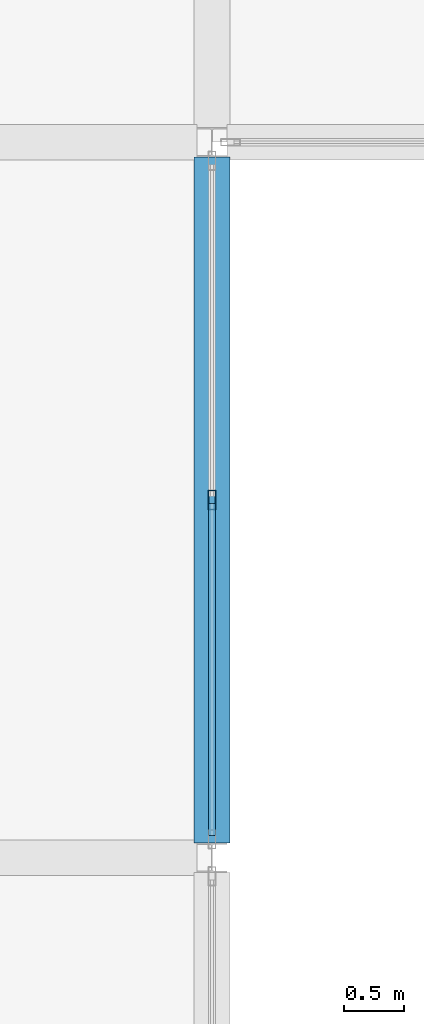
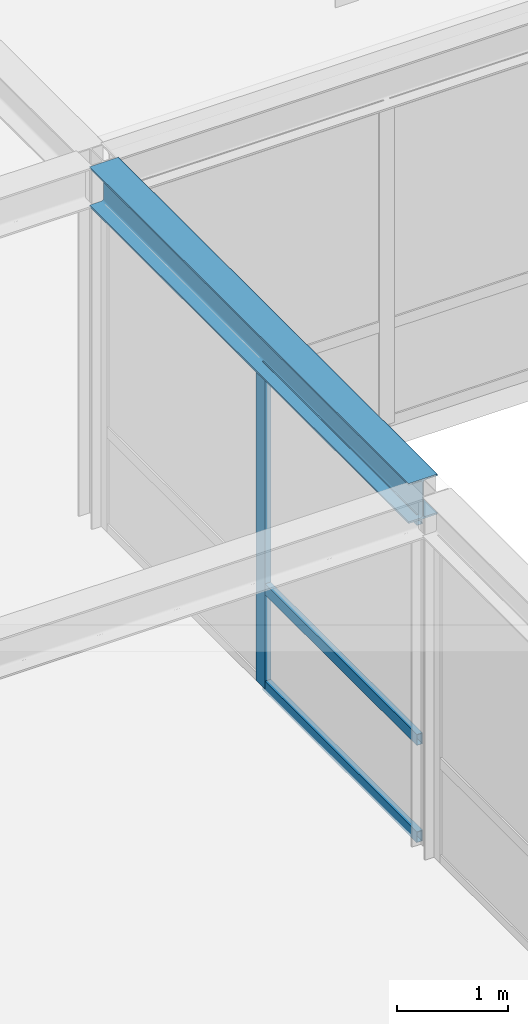
# One storey, part 46 of 111: 4 members, 1 beam, 1 element without a shape of its own.
"""IFC4 building model written with IfcOpenShell, lengths in metres."""

from ifc_helpers import new_model, si_unit, direction, frame, origin, origin_2d, place, context, subcontext, project, spatial, hollow_rectangle, i_section, extrude, material, layer, layer_set, material_profile, profile_set, type_object, element, aggregate, save


model = new_model("IFC4")

# Units and contexts
model_context = context("Model", 3, precision=1e-05, world=origin(), true_north=direction((0.0, 1.0)))
body_context = subcontext(model_context, "Body", "Model", "MODEL_VIEW")
ifc_project = project(units=[si_unit("LENGTHUNIT", "METRE"), si_unit("AREAUNIT", "SQUARE_METRE"), si_unit("VOLUMEUNIT", "CUBIC_METRE"), si_unit("PLANEANGLEUNIT", "RADIAN"), si_unit("MASSUNIT", "GRAM", prefix="KILO")], contexts=[model_context])

# Site, building, storey
site_placement = place(None, origin())
site = spatial("IfcSite", under=ifc_project, at=site_placement, CompositionType="ELEMENT")
building_placement = place(site_placement, origin())
building = spatial("IfcBuilding", under=site, at=building_placement, Name="Zlatovratsky Civic Hall", CompositionType="ELEMENT")
storey_placement = place(building_placement, frame((0.0, 0.0, 16.5)))
storey = spatial("IfcBuildingStorey", under=building, at=storey_placement, Name="L04", CompositionType="ELEMENT", Elevation=16.5)

# Beam
ifc_material_1 = material(Name="Steel S355", Category="steel")
ifc_material_profile_1 = material_profile(ifc_material_1, i_section(OverallWidth=0.300048828125, OverallDepth=0.43994140625, WebThickness=0.010986328125, FlangeThickness=0.01806640625, FilletRadius=0.02197265625, at=origin_2d()), Name="45Sh1")
ifc_profile_set_1 = profile_set([ifc_material_profile_1], Name="Steel S355")
beam_type = type_object("IfcBeamType", Name="Beam_TowerLow_45Sh1", PredefinedType="BEAM", material=ifc_profile_set_1)
beam_placement = place(storey_placement, frame((18.0, 60.125, 3.780029296875), z_axis=(0.0, 1.0, 0.0), x_axis=(-1.0, 0.0, 0.0)))
element("IfcBeam", 1, at=beam_placement, inside=storey, type_object=beam_type, Name="BM-3554", PredefinedType="BEAM", context=body_context, shape_type="SweptSolid", body=[
    extrude(i_section(OverallWidth=0.300048828125, OverallDepth=0.43994140625, WebThickness=0.010986328125, FlangeThickness=0.01806640625, FilletRadius=0.02197265625, at=origin_2d()), origin(), (0.0, 0.0, 1.0), 5.75),
])

# Curtain wall, members
ifc_material_2 = material(Name="Anodised bronze aluminium", Category="aluminium")
ifc_layer = layer(ifc_material_2, 0.159912109375)
ifc_layer_set = layer_set([ifc_layer], Name="Anodised bronze aluminium")
curtain_wall_type = type_object("IfcCurtainWallType", Name="CurtainWall_Bronze_5750x3550_18", PredefinedType="NOTDEFINED", material=ifc_layer_set)
curtain_wall_placement = place(storey_placement, origin())
curtain_wall = element("IfcCurtainWall", 2, at=curtain_wall_placement, inside=storey, type_object=curtain_wall_type, Name="CW-104", PredefinedType="NOTDEFINED")
ifc_material_profile_2 = material_profile(ifc_material_2, hollow_rectangle(XDim=0.06005859375, YDim=0.159912109375, WallThickness=0.00390625, at=origin_2d()), Name="ALU 60x160x4")
ifc_profile_set_2 = profile_set([ifc_material_profile_2], Name="Anodised bronze aluminium")
member_type_1 = type_object("IfcMemberType", Name="CW_Mullion_60x160", PredefinedType="MULLION", material=ifc_profile_set_2)
member_1_placement = place(storey_placement, frame((18.0, 63.0, 0.0), z_axis=(0.0, 0.0, 1.0), x_axis=(-1.0, 0.0, 0.0)))
member_1 = element("IfcMember", 3, at=member_1_placement, type_object=member_type_1, Name="CW-18 mullion 2", PredefinedType="MULLION", context=body_context, shape_type="SweptSolid", body=[
    extrude(hollow_rectangle(XDim=0.06005859375, YDim=0.159912109375, WallThickness=0.00390625, at=origin_2d()), origin(), (0.0, 0.0, 1.0), 3.550048828125),
])
ifc_material_profile_3 = material_profile(ifc_material_2, hollow_rectangle(XDim=0.06005859375, YDim=0.1201171875, WallThickness=0.00390625, at=origin_2d()), Name="ALU 60x120x4")
ifc_profile_set_3 = profile_set([ifc_material_profile_3], Name="Anodised bronze aluminium")
member_type_2 = type_object("IfcMemberType", Name="CW_Transom_60x120", PredefinedType="USERDEFINED", material=ifc_profile_set_3)
member_2_placement = place(storey_placement, frame((18.0, 60.18505859375, 0.030029296875), z_axis=(0.0, 1.0, 0.0), x_axis=(-1.0, 0.0, 0.0)))
member_2 = element("IfcMember", 4, at=member_2_placement, type_object=member_type_2, Name="CW-18 transom 1.1", ObjectType="TRANSOM", PredefinedType="USERDEFINED", context=body_context, shape_type="SweptSolid", body=[
    extrude(hollow_rectangle(XDim=0.06005859375, YDim=0.1201171875, WallThickness=0.00390625, at=origin_2d()), origin(), (0.0, 0.0, 1.0), 2.784912109375),
])
member_3_placement = place(storey_placement, frame((18.0, 60.18505859375, 1.10009765625), z_axis=(0.0, 1.0, 0.0), x_axis=(-1.0, 0.0, 0.0)))
member_3 = element("IfcMember", 5, at=member_3_placement, type_object=member_type_2, Name="CW-18 transom 1.2", ObjectType="TRANSOM", PredefinedType="USERDEFINED", context=body_context, shape_type="SweptSolid", body=[
    extrude(hollow_rectangle(XDim=0.06005859375, YDim=0.1201171875, WallThickness=0.00390625, at=origin_2d()), origin(), (0.0, 0.0, 1.0), 2.784912109375),
])
member_4_placement = place(storey_placement, frame((18.0, 60.18505859375, 3.52001953125), z_axis=(0.0, 1.0, 0.0), x_axis=(-1.0, 0.0, 0.0)))
member_4 = element("IfcMember", 6, at=member_4_placement, type_object=member_type_2, Name="CW-18 transom 1.3", ObjectType="TRANSOM", PredefinedType="USERDEFINED", context=body_context, shape_type="SweptSolid", body=[
    extrude(hollow_rectangle(XDim=0.06005859375, YDim=0.1201171875, WallThickness=0.00390625, at=origin_2d()), origin(), (0.0, 0.0, 1.0), 2.784912109375),
])
aggregate(curtain_wall, [member_1, member_2, member_3, member_4])

save(model, "model.ifc")
